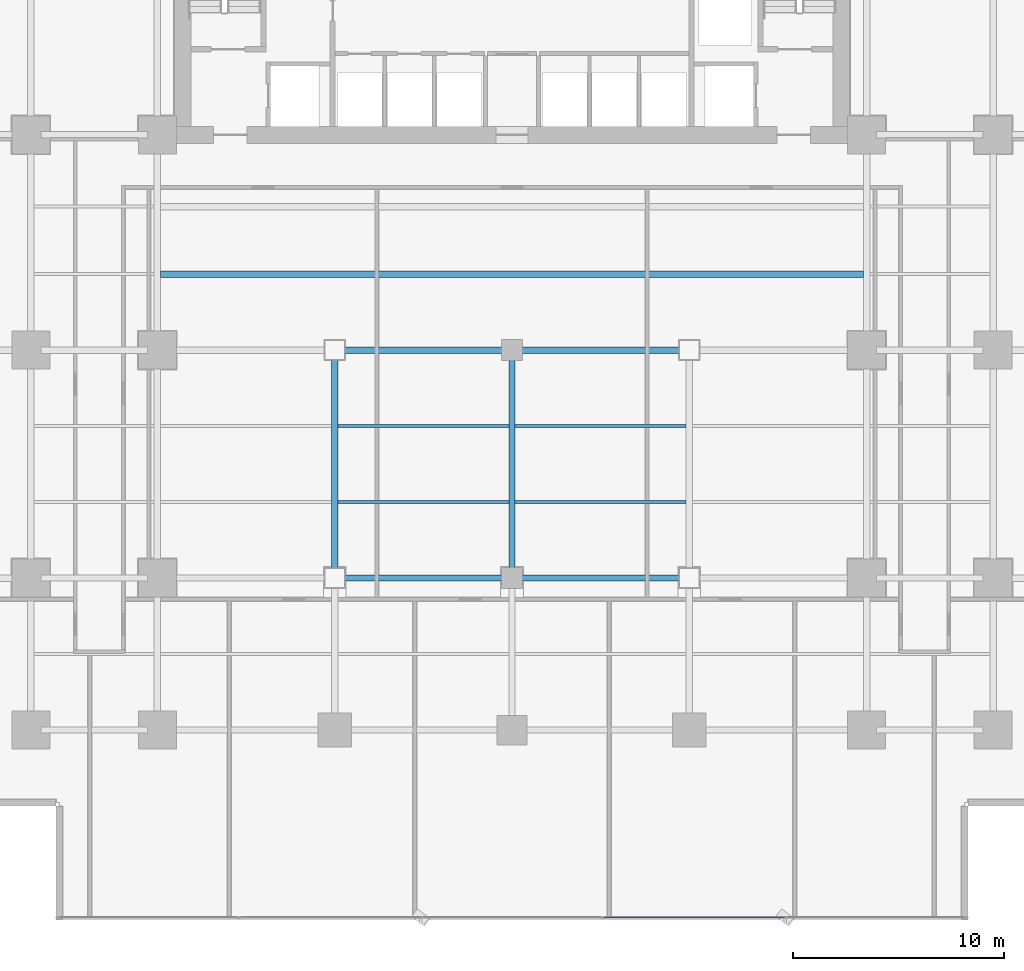
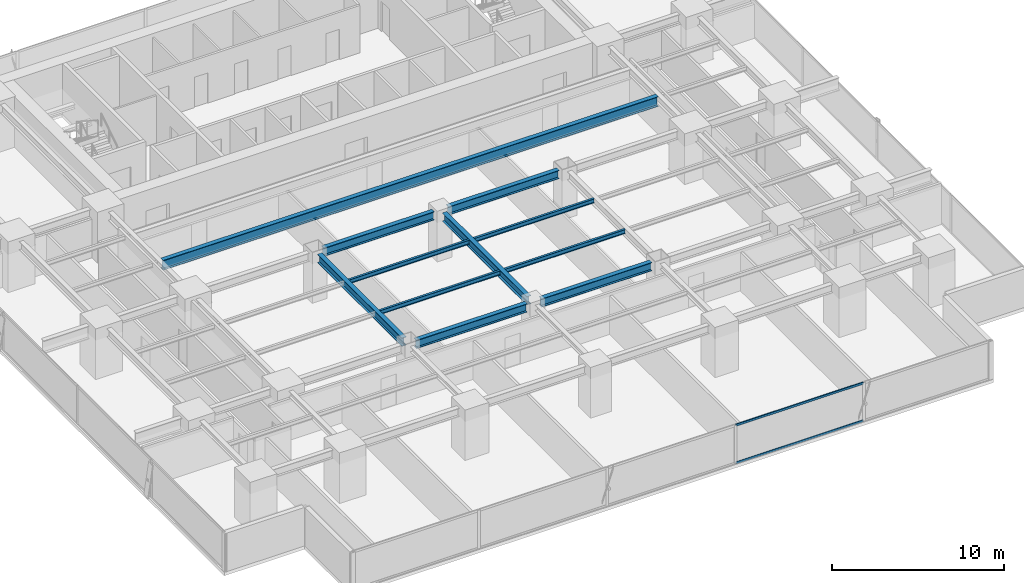
# One storey, part 10 of 34: 11 beams, 2 members, 1 element without a shape of its own.
"""IFC4 building model written with IfcOpenShell, lengths in metres."""

from ifc_helpers import new_model, si_unit, direction, frame, origin, origin_2d, place, context, subcontext, project, spatial, hollow_rectangle, i_section, extrude, source, transform, mapped, material, layer, layer_set, material_profile, profile_set, type_object, element, aggregate, save


model = new_model("IFC4")

# Units and contexts
model_context = context("Model", 3, precision=1e-05, world=origin(), true_north=direction((0.0, 1.0)))
body_context = subcontext(model_context, "Body", "Model", "MODEL_VIEW")
ifc_project = project(units=[si_unit("LENGTHUNIT", "METRE"), si_unit("AREAUNIT", "SQUARE_METRE"), si_unit("VOLUMEUNIT", "CUBIC_METRE"), si_unit("PLANEANGLEUNIT", "RADIAN"), si_unit("MASSUNIT", "GRAM", prefix="KILO")], contexts=[model_context])

# Site, building, storey
site_placement = place(None, origin())
site = spatial("IfcSite", under=ifc_project, at=site_placement, CompositionType="ELEMENT")
building_placement = place(site_placement, origin())
building = spatial("IfcBuilding", under=site, at=building_placement, Name="Sumidabori Civic Tower", CompositionType="ELEMENT")
storey_placement = place(building_placement, frame((0.0, 0.0, 56.0)))
storey = spatial("IfcBuildingStorey", under=building, at=storey_placement, Name="L14", CompositionType="ELEMENT", Elevation=56.0)

# Beams
ifc_material_1 = material(Name="Steel SN490", Category="steel")
ifc_material_profile_1 = material_profile(ifc_material_1, i_section(OverallWidth=0.300048828125, OverallDepth=0.60009765625, WebThickness=0.015380859375, FlangeThickness=0.030029296875, at=origin_2d()), Name="HE 600 B")
ifc_profile_set_1 = profile_set([ifc_material_profile_1], Name="Steel SN490")
beam_type_1 = type_object("IfcBeamType", Name="BM-GIRD-600", PredefinedType="BEAM", material=ifc_profile_set_1)
shared_shape_1 = source(origin(), body_context, "Body", "SweptSolid", [
    extrude(i_section(OverallWidth=0.300048828125, OverallDepth=0.60009765625, WebThickness=0.015380859375, FlangeThickness=0.030029296875, at=origin_2d()), origin(), (0.0, 0.0, 1.0), 7.43994140625),
])
for number, where, z_axis, x_axis, name in (
    (1, (-7.919921875, -10.800048828125, 3.06005859375), (1.0, 0.0, 0.0), (0.0, 1.0, 0.0), "Primary Girder L14 GX-09"),
    (2, (0.47998046875, -10.800048828125, 3.06005859375), (1.0, 0.0, 0.0), (0.0, 1.0, 0.0), "Primary Girder L14 GX-10"),
    (3, (-7.919921875, 0.0, 3.06005859375), (1.0, 0.0, 0.0), (0.0, 1.0, 0.0), "Primary Girder L14 GX-15"),
    (4, (0.47998046875, 0.0, 3.06005859375), (1.0, 0.0, 0.0), (0.0, 1.0, 0.0), "Primary Girder L14 GX-16"),
):
    element("IfcBeam", number, at=place(storey_placement, frame(where, z_axis=z_axis, x_axis=x_axis)), inside=storey, type_object=beam_type_1, Name=name, PredefinedType="BEAM", context=body_context, shape_type="MappedRepresentation", body=[
        mapped(shared_shape_1, transform((0.0, 0.0, 0.0), x_axis=(1.0, 0.0, 0.0), y_axis=(0.0, 1.0, 0.0), z_axis=(0.0, 0.0, 1.0), scale=1.0)),
    ])
shared_shape_2 = source(origin(), body_context, "Body", "SweptSolid", [
    extrude(i_section(OverallWidth=0.300048828125, OverallDepth=0.60009765625, WebThickness=0.015380859375, FlangeThickness=0.030029296875, at=origin_2d()), origin(), (0.0, 0.0, 1.0), 9.840087890625),
])
for number, where, z_axis, x_axis, name in (
    (5, (-8.39990234375, -10.320068359375, 3.06005859375), (0.0, 1.0, 0.0), (-1.0, 0.0, 0.0), "Primary Girder L14 GY-30"),
    (6, (0.0, -10.320068359375, 3.06005859375), (0.0, 1.0, 0.0), (-1.0, 0.0, 0.0), "Primary Girder L14 GY-32"),
):
    element("IfcBeam", number, at=place(storey_placement, frame(where, z_axis=z_axis, x_axis=x_axis)), inside=storey, type_object=beam_type_1, Name=name, PredefinedType="BEAM", context=body_context, shape_type="MappedRepresentation", body=[
        mapped(shared_shape_2, transform((0.0, 0.0, 0.0), x_axis=(1.0, 0.0, 0.0), y_axis=(0.0, 1.0, 0.0), z_axis=(0.0, 0.0, 1.0), scale=1.0)),
    ])
ifc_material_profile_2 = material_profile(ifc_material_1, i_section(OverallWidth=0.300048828125, OverallDepth=0.699951171875, WebThickness=0.01708984375, FlangeThickness=0.031982421875, at=origin_2d()), Name="HE 700 B")
ifc_profile_set_2 = profile_set([ifc_material_profile_2], Name="Steel SN490")
beam_type_2 = type_object("IfcBeamType", Name="BM-GIRD-700", PredefinedType="BEAM", material=ifc_profile_set_2)
shared_shape_3 = source(origin(), body_context, "Body", "SweptSolid", [
    extrude(i_section(OverallWidth=0.300048828125, OverallDepth=0.699951171875, WebThickness=0.01708984375, FlangeThickness=0.031982421875, at=origin_2d()), origin(), (0.0, 0.0, 1.0), 33.2998046875),
])
beam_placement = place(storey_placement, frame((-16.64990234375, 3.60009765625, 3.010009765625), z_axis=(1.0, 0.0, 0.0), x_axis=(0.0, 1.0, 0.0)))
element("IfcBeam", 7, at=beam_placement, inside=storey, type_object=beam_type_2, Name="North Bay Floor Beam L14 JSTN-59", PredefinedType="BEAM", context=body_context, shape_type="MappedRepresentation", body=[
    mapped(shared_shape_3, transform((0.0, 0.0, 0.0), x_axis=(1.0, 0.0, 0.0), y_axis=(0.0, 1.0, 0.0), z_axis=(0.0, 0.0, 1.0), scale=1.0)),
])
ifc_material_profile_3 = material_profile(ifc_material_1, i_section(OverallWidth=0.14990234375, OverallDepth=0.300048828125, WebThickness=0.007080078125, FlangeThickness=0.0107421875, at=origin_2d()), Name="IPE 300")
ifc_profile_set_3 = profile_set([ifc_material_profile_3], Name="Steel SN490")
beam_type_3 = type_object("IfcBeamType", Name="BM-JST-300", PredefinedType="JOIST", material=ifc_profile_set_3)
shared_shape_4 = source(origin(), body_context, "Body", "SweptSolid", [
    extrude(i_section(OverallWidth=0.14990234375, OverallDepth=0.300048828125, WebThickness=0.007080078125, FlangeThickness=0.0107421875, at=origin_2d()), origin(), (0.0, 0.0, 1.0), 8.10009765625),
])
for number, where, z_axis, x_axis, name in (
    (8, (-8.25, -7.199951171875, 3.2099609375), (1.0, 0.0, 0.0), (0.0, 1.0, 0.0), "South Bay Floor Joist L14 JSTS-66"),
    (9, (0.14990234375, -7.199951171875, 3.2099609375), (1.0, 0.0, 0.0), (0.0, 1.0, 0.0), "South Bay Floor Joist L14 JSTS-67"),
    (10, (-8.25, -3.60009765625, 3.2099609375), (1.0, 0.0, 0.0), (0.0, 1.0, 0.0), "South Bay Floor Joist L14 JSTS-70"),
    (11, (0.14990234375, -3.60009765625, 3.2099609375), (1.0, 0.0, 0.0), (0.0, 1.0, 0.0), "South Bay Floor Joist L14 JSTS-71"),
):
    element("IfcBeam", number, at=place(storey_placement, frame(where, z_axis=z_axis, x_axis=x_axis)), inside=storey, type_object=beam_type_3, Name=name, PredefinedType="JOIST", context=body_context, shape_type="MappedRepresentation", body=[
        mapped(shared_shape_4, transform((0.0, 0.0, 0.0), x_axis=(1.0, 0.0, 0.0), y_axis=(0.0, 1.0, 0.0), z_axis=(0.0, 0.0, 1.0), scale=1.0)),
    ])

# Curtain wall, members
ifc_material_2 = material(Name="Anodised Bronze Aluminium AW-6063-T6", Category="aluminium")
ifc_layer = layer(ifc_material_2, 0.179931640625, Name="Anodised Bronze Aluminium AW-6063-T6")
ifc_layer_set = layer_set([ifc_layer], Name="Anodised Bronze Aluminium AW-6063-T6")
curtain_wall_type = type_object("IfcCurtainWallType", Name="CW-SYS-2", PredefinedType="NOTDEFINED", material=ifc_layer_set)
curtain_wall_placement = place(storey_placement, origin())
curtain_wall = element("IfcCurtainWall", 12, at=curtain_wall_placement, inside=storey, type_object=curtain_wall_type, Name="Curtain Wall CW:L14:R01", PredefinedType="NOTDEFINED")
ifc_material_profile_4 = material_profile(ifc_material_2, hollow_rectangle(XDim=0.06494140625, YDim=0.14990234375, WallThickness=0.0048828125, at=origin_2d()), Name="ALU TRANSOM 150x65")
ifc_profile_set_4 = profile_set([ifc_material_profile_4], Name="Anodised Bronze Aluminium AW-6063-T6")
member_type = type_object("IfcMemberType", Name="CW-TRN-150", PredefinedType="USERDEFINED", material=ifc_profile_set_4)
shared_shape_5 = source(origin(), body_context, "Body", "SweptSolid", [
    extrude(hollow_rectangle(XDim=0.06494140625, YDim=0.14990234375, WallThickness=0.0048828125, at=origin_2d()), origin(), (0.0, 0.0, 1.0), 8.557861328125),
])
member_1_placement = place(storey_placement, frame((4.34912109375, -26.8798828125, 0.032470703125), z_axis=(1.0, 0.0, 0.0), x_axis=(0.0, 1.0, 0.0)))
member_1 = element("IfcMember", 13, at=member_1_placement, type_object=member_type, Name="CW-2 transom 4.1", ObjectType="TRANSOM", PredefinedType="USERDEFINED", context=body_context, shape_type="MappedRepresentation", body=[
    mapped(shared_shape_5, transform((0.0, 0.0, 0.0), x_axis=(1.0, 0.0, 0.0), y_axis=(0.0, 1.0, 0.0), z_axis=(0.0, 0.0, 1.0), scale=1.0)),
])
member_2_placement = place(storey_placement, frame((4.34912109375, -26.8798828125, 2.70751953125), z_axis=(1.0, 0.0, 0.0), x_axis=(0.0, 1.0, 0.0)))
member_2 = element("IfcMember", 14, at=member_2_placement, type_object=member_type, Name="CW-2 transom 4.2", ObjectType="TRANSOM", PredefinedType="USERDEFINED", context=body_context, shape_type="MappedRepresentation", body=[
    mapped(shared_shape_5, transform((0.0, 0.0, 0.0), x_axis=(1.0, 0.0, 0.0), y_axis=(0.0, 1.0, 0.0), z_axis=(0.0, 0.0, 1.0), scale=1.0)),
])
aggregate(curtain_wall, [member_1, member_2])

save(model, "model.ifc")
